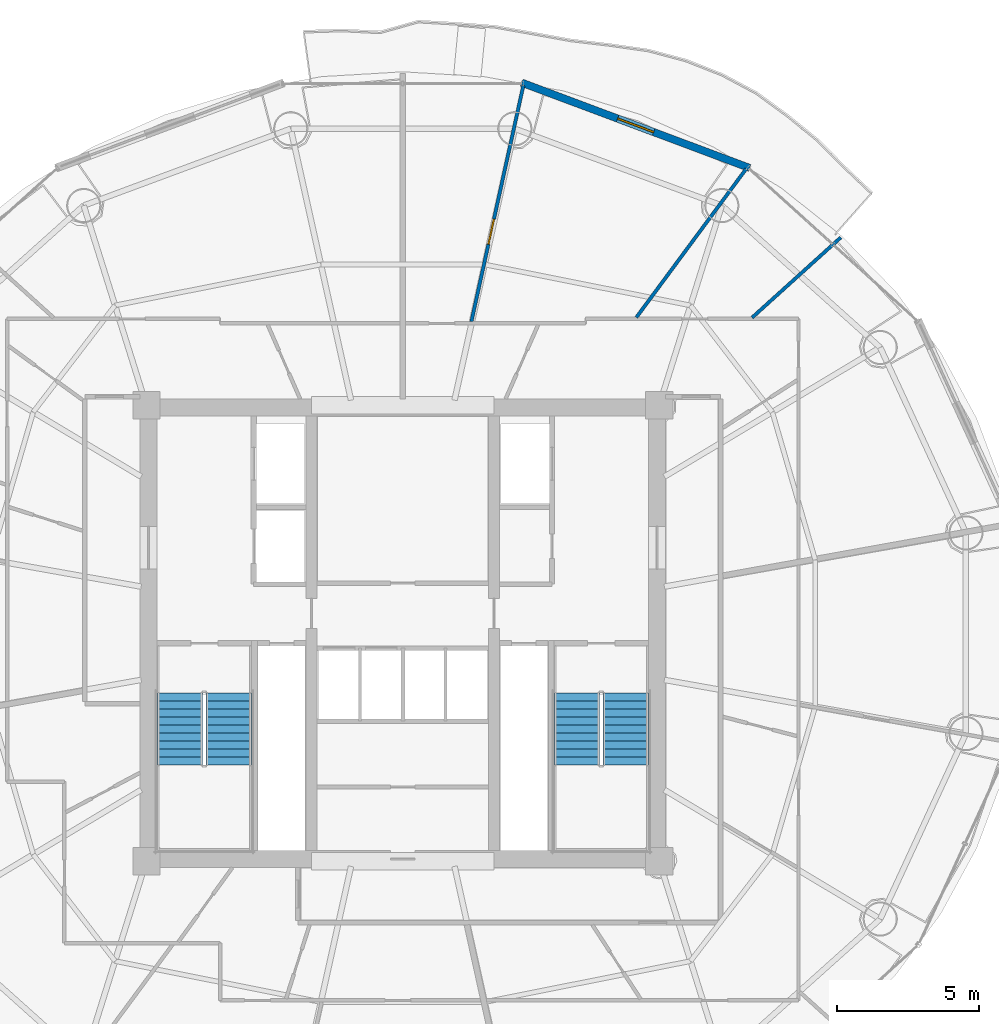
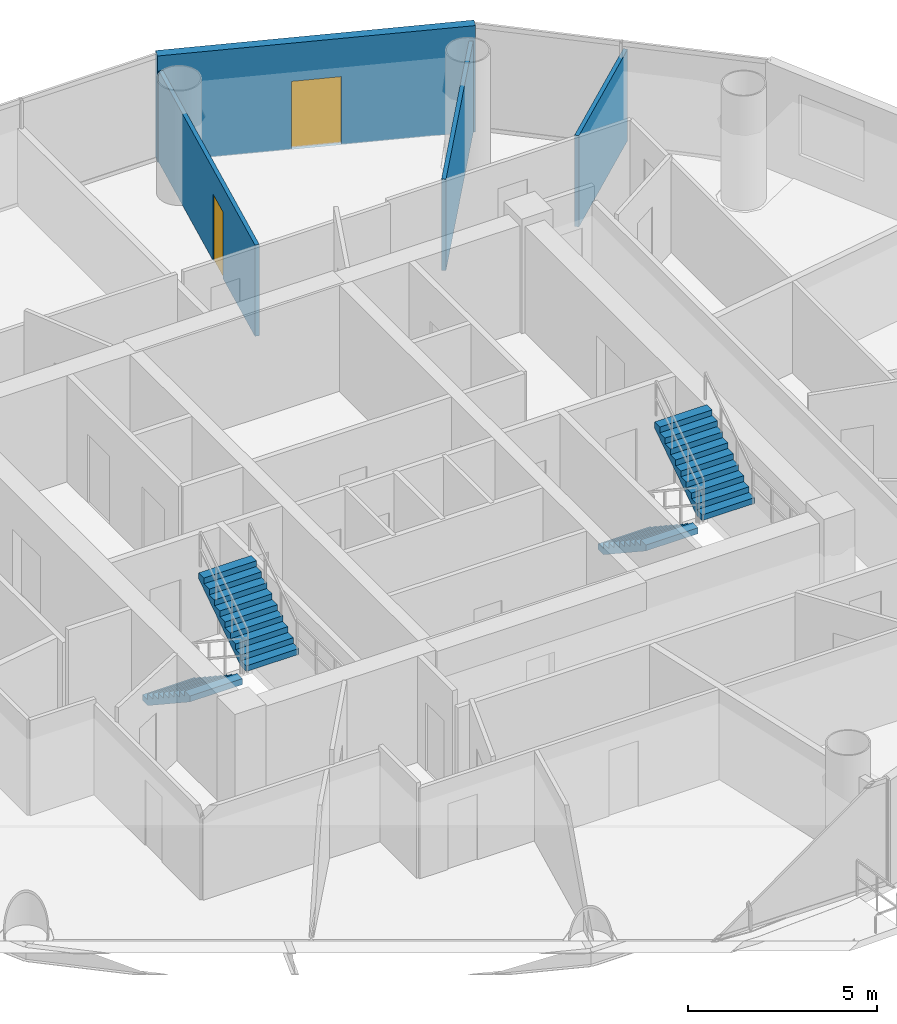
# One storey, part 23 of 27: 4 stair flights, 4 walls, 2 doors, 2 openings, 2 elements without a shape of their own.
"""IFC4 building model written with IfcOpenShell, lengths in metres."""

import ifcopenshell
import ifcopenshell.guid

model = None  # the IFC model being written
_history = None  # IfcOwnerHistory: only IFC2X3 demands one
_inside = {}  # id of a spatial element -> (the spatial element, [elements in it])
_under = {}  # id of a project, library or spatial element -> (it, [spatial elements below it])
_declared = {}  # id of a project -> (the project, [libraries it declares])
_typed = {}  # id of a type object -> (the type object, [elements of that type])
_made_of = {}  # id of a material, layer set ... -> (it, [elements and type objects made of it])


def new_model(schema):
    """Start an empty IFC model of exactly this schema.

    Asked for "IFC4X3", IfcOpenShell would pick the latest addendum, in which some entities
    have other attributes; the version numbers below select the first issue.
    IFC2X3 requires an IfcOwnerHistory on every rooted entity: one is made here for all.
    """
    global model, _history
    if schema == "IFC4X3":
        model = ifcopenshell.file(schema_version=(4, 3, 0, 0))
    else:
        model = ifcopenshell.file(schema=schema)
    _inside.clear()
    _under.clear()
    _declared.clear()
    _typed.clear()
    _made_of.clear()
    _history = None
    if model.schema == "IFC2X3":
        org = make("IfcOrganization", Name="unknown")
        user = make(
            "IfcPersonAndOrganization",
            ThePerson=make("IfcPerson", FamilyName="unknown"),
            TheOrganization=org,
        )
        app = make(
            "IfcApplication",
            ApplicationDeveloper=org,
            Version="unknown",
            ApplicationFullName="unknown",
            ApplicationIdentifier="unknown",
        )
        _history = make(
            "IfcOwnerHistory",
            OwningUser=user,
            OwningApplication=app,
            ChangeAction="ADDED",
            CreationDate=0,
        )
    return model


def make(cls, **values):
    """One entity of the class cls with the attributes given. An attribute that is None is left unset."""
    return model.create_entity(
        cls, **{name: value for name, value in values.items() if value is not None}
    )


def rooted(cls, **values):
    """An entity with a GlobalId (a new one), such as an element, a storey or a relation."""
    return make(cls, GlobalId=ifcopenshell.guid.new(), OwnerHistory=_history, **values)


def si_unit(unit_type, name, prefix=None):
    """IfcSIUnit, for example si_unit("LENGTHUNIT", "METRE", prefix="MILLI")."""
    return make("IfcSIUnit", UnitType=unit_type, Prefix=prefix, Name=name)


def assignment(units):
    """IfcUnitAssignment: the units of a project."""
    return None if units is None else make("IfcUnitAssignment", Units=units)


def point(xyz):
    """IfcCartesianPoint."""
    return None if xyz is None else make("IfcCartesianPoint", Coordinates=xyz)


def direction(xyz):
    """IfcDirection."""
    return None if xyz is None else make("IfcDirection", DirectionRatios=xyz)


def frame(location, z_axis=None, x_axis=None):
    """IfcAxis2Placement3D, a coordinate frame: its origin and axes. An axis left out is left unset."""
    return make(
        "IfcAxis2Placement3D",
        Location=point(location),
        Axis=direction(z_axis),
        RefDirection=direction(x_axis),
    )


def frame_2d(location, x_axis=None):
    """IfcAxis2Placement2D, a coordinate frame in the plane: its origin and x axis."""
    return make(
        "IfcAxis2Placement2D", Location=point(location), RefDirection=direction(x_axis)
    )


def origin():
    """The frame at (0, 0, 0) with its axes left unset."""
    return frame((0.0, 0.0, 0.0))


def place(relative_to, where):
    """IfcLocalPlacement: puts the frame where relative to a parent placement (None: the world)."""
    return make(
        "IfcLocalPlacement", PlacementRelTo=relative_to, RelativePlacement=where
    )


def context(
    kind, dimensions, precision=None, world=None, true_north=None, identifier=None
):
    """IfcGeometricRepresentationContext, for example the 3D "Model" context."""
    return make(
        "IfcGeometricRepresentationContext",
        ContextIdentifier=identifier,
        ContextType=kind,
        CoordinateSpaceDimension=dimensions,
        Precision=precision,
        WorldCoordinateSystem=world,
        TrueNorth=true_north,
    )


def subcontext(parent, identifier, kind, view, scale=None):
    """IfcGeometricRepresentationSubContext, for example "Body" below "Model"."""
    return make(
        "IfcGeometricRepresentationSubContext",
        ContextIdentifier=identifier,
        ContextType=kind,
        ParentContext=parent,
        TargetScale=scale,
        TargetView=view,
    )


def project(units=None, contexts=None):
    """IfcProject with its units and contexts."""
    return rooted(
        "IfcProject",
        Name="project",
        RepresentationContexts=contexts,
        UnitsInContext=assignment(units),
    )


def spatial(cls, under=None, at=None, **own):
    """A site, building, storey or space (cls), placed at a placement, below another one or the project."""
    s = rooted(cls, ObjectPlacement=at, **own)
    if under is not None:
        _under.setdefault(under.id(), (under, []))[1].append(s)
    return s


def polyline(points):
    """IfcPolyline through the points."""
    return make("IfcPolyline", Points=[point(p) for p in points])


def profile(cls, at=None, kind="AREA", **sizes):
    """A parametric profile (cls). Its sizes go by their IFC names, for example OverallWidth=200.0."""
    return make(cls, ProfileType=kind, Position=at, **sizes)


def rectangle(**sizes):
    """IfcRectangleProfileDef."""
    return profile("IfcRectangleProfileDef", **sizes)


def outline(outer, holes=None, kind="AREA"):
    """IfcArbitraryClosedProfileDef: a profile drawn as a closed curve; with holes, ...WithVoids."""
    if holes is None:
        return make("IfcArbitraryClosedProfileDef", ProfileType=kind, OuterCurve=outer)
    return make(
        "IfcArbitraryProfileDefWithVoids",
        ProfileType=kind,
        OuterCurve=outer,
        InnerCurves=holes,
    )


def extrude(swept, where, along, depth):
    """IfcExtrudedAreaSolid: the profile swept, set in the frame where, extruded along a direction by depth."""
    return make(
        "IfcExtrudedAreaSolid",
        SweptArea=swept,
        Position=where,
        ExtrudedDirection=direction(along),
        Depth=depth,
    )


def shape(context_of_items, identifier, shape_type, items):
    """IfcShapeRepresentation: the items that make up one representation, for example the "Body"."""
    return make(
        "IfcShapeRepresentation",
        ContextOfItems=context_of_items,
        RepresentationIdentifier=identifier,
        RepresentationType=shape_type,
        Items=items,
    )


def source(mapping_origin, context_of_items, identifier, shape_type, items):
    """IfcRepresentationMap: a shape defined once, which mapped items show again and again."""
    return make(
        "IfcRepresentationMap",
        MappingOrigin=mapping_origin,
        MappedRepresentation=shape(context_of_items, identifier, shape_type, items),
    )


def transform(
    local_origin,
    x_axis=None,
    y_axis=None,
    z_axis=None,
    scale=None,
    scale2=None,
    scale3=None,
    uniform=True,
):
    """IfcCartesianTransformationOperator3D, or its non-uniform kind. x_axis, y_axis, z_axis: its Axis1, 2, 3."""
    if uniform:
        return make(
            "IfcCartesianTransformationOperator3D",
            Axis1=direction(x_axis),
            Axis2=direction(y_axis),
            LocalOrigin=point(local_origin),
            Scale=scale,
            Axis3=direction(z_axis),
        )
    return make(
        "IfcCartesianTransformationOperator3DnonUniform",
        Axis1=direction(x_axis),
        Axis2=direction(y_axis),
        LocalOrigin=point(local_origin),
        Scale=scale,
        Axis3=direction(z_axis),
        Scale2=scale2,
        Scale3=scale3,
    )


def mapped(mapping_source, mapping_target):
    """IfcMappedItem: shows the shape of a source again, moved by a transform."""
    return make(
        "IfcMappedItem", MappingSource=mapping_source, MappingTarget=mapping_target
    )


def material(Name=None, Category=None):
    """IfcMaterial."""
    return make("IfcMaterial", Name=Name, Category=Category)


def layer(
    of_material, thickness, ventilated=None, Name=None, Category=None, Priority=None
):
    """IfcMaterialLayer: one layer of a wall or slab, of a material (None: an air gap)."""
    return make(
        "IfcMaterialLayer",
        Material=of_material,
        LayerThickness=thickness,
        IsVentilated=ventilated,
        Name=Name,
        Category=Category,
        Priority=Priority,
    )


def layer_set(layers, Name=None):
    """IfcMaterialLayerSet."""
    return make("IfcMaterialLayerSet", MaterialLayers=layers, LayerSetName=Name)


def made_of(thing, what):
    """Note that an element or type object is made of a material, layer set ...; save() writes the relation."""
    if what is not None:
        _made_of.setdefault(what.id(), (what, []))[1].append(thing)
    return thing


def type_object(cls, material=None, **own):
    """A type object (cls), such as IfcWallType, which elements share."""
    return made_of(rooted(cls, **own), material)


def element(
    cls,
    number,
    at=None,
    inside=None,
    cuts=None,
    type_object=None,
    material=None,
    context=None,
    identifier="Body",
    shape_type=None,
    held_by="IfcProductDefinitionShape",
    body=None,
    shapes=None,
    **own,
):
    """One element of the class cls, such as IfcWall. Its Tag is "e" and its number.

    at: its placement. inside: the storey or other place that contains it. cuts: it is an
    opening in that element (IfcRelVoidsElement). A single representation is given by context,
    identifier, shape_type and body (its items); several are given by shapes. held_by: the class
    of the entity that holds the representations. save() writes the other relations.
    """
    e = rooted(cls, Tag="e%d" % number, ObjectPlacement=at, **own)
    if body is not None:
        shapes = [shape(context, identifier, shape_type, body)]
    if shapes is not None:
        e.Representation = make(held_by, Representations=shapes)
    if inside is not None:
        _inside.setdefault(inside.id(), (inside, []))[1].append(e)
    if cuts is not None:
        rooted(
            "IfcRelVoidsElement", RelatingBuildingElement=cuts, RelatedOpeningElement=e
        )
    if type_object is not None:
        _typed.setdefault(type_object.id(), (type_object, []))[1].append(e)
    return made_of(e, material)


def fill(opening, filler):
    """IfcRelFillsElement: the door or window that sits in an opening."""
    return rooted(
        "IfcRelFillsElement",
        RelatingOpeningElement=opening,
        RelatedBuildingElement=filler,
    )


def aggregate(whole, parts):
    """IfcRelAggregates: a whole, such as a stair, and the parts it consists of."""
    return rooted("IfcRelAggregates", RelatingObject=whole, RelatedObjects=parts)


def save(model, path):
    """Write the relations noted so far, then the file.

    IfcRelAggregates (storeys below a building ...), IfcRelContainedInSpatialStructure (elements
    in a storey), IfcRelDefinesByType, IfcRelAssociatesMaterial and IfcRelDeclares: one each for
    every whole, place, type object, material and project.
    """
    for whole, parts in _under.values():
        aggregate(whole, parts)
    for where, things in _inside.values():
        rooted(
            "IfcRelContainedInSpatialStructure",
            RelatedElements=things,
            RelatingStructure=where,
        )
    for kind, things in _typed.values():
        rooted("IfcRelDefinesByType", RelatedObjects=things, RelatingType=kind)
    for what, things in _made_of.values():
        rooted("IfcRelAssociatesMaterial", RelatedObjects=things, RelatingMaterial=what)
    for by, libraries in _declared.values():
        rooted("IfcRelDeclares", RelatingContext=by, RelatedDefinitions=libraries)
    model.write(path)


model = new_model("IFC4")

# Units and contexts
model_context = context("Model", 3, precision=1e-05, world=origin(), true_north=direction((-0.2419218956, 0.970295726276)))
body_context = subcontext(model_context, "Body", "Model", "MODEL_VIEW")
ifc_project = project(units=[si_unit("LENGTHUNIT", "METRE"), si_unit("AREAUNIT", "SQUARE_METRE"), si_unit("VOLUMEUNIT", "CUBIC_METRE"), si_unit("PLANEANGLEUNIT", "RADIAN"), si_unit("MASSUNIT", "GRAM", prefix="KILO")], contexts=[model_context])

# Site, building, storey
site_placement = place(None, origin())
site = spatial("IfcSite", under=ifc_project, at=site_placement, CompositionType="ELEMENT")
building_placement = place(site_placement, origin())
building = spatial("IfcBuilding", under=site, at=building_placement, Name="Cobrevalo Terracotta Tower", CompositionType="ELEMENT")
storey_placement = place(building_placement, frame((0.0, 0.0, 191.199951171875)))
storey = spatial("IfcBuildingStorey", under=building, at=storey_placement, Name="L50", CompositionType="ELEMENT", Elevation=191.199951171875)

# Wall, opening, door
ifc_material_1 = material(Name="Autoclaved aerated concrete block", Category="concrete")
ifc_layer_1 = layer(ifc_material_1, 0.260009765625)
ifc_layer_set_1 = layer_set([ifc_layer_1], Name="Autoclaved aerated concrete block")
wall_type_1 = type_object("IfcWallType", Name="Recessed balcony loggia insulated exterior wall 260 mm", PredefinedType="SOLIDWALL", material=ifc_layer_set_1)
wall_1_placement = place(storey_placement, frame((50.169677734375, 43.126953125, 0.0), z_axis=(0.0, 0.0, 1.0), x_axis=(-0.936556918375, 0.350515532672, 0.0)))
wall_1 = element("IfcWall", 1, at=wall_1_placement, inside=storey, type_object=wall_type_1, Name="L50 balcony loggia wall S03", PredefinedType="SOLIDWALL", context=body_context, shape_type="SweptSolid", body=[
    extrude(rectangle(XDim=8.539306640625, YDim=0.260009765625, at=frame_2d((4.26953125, 0.0))), origin(), (0.0, 0.0, 1.0), 3.43505859375),
])
opening_1_placement = place(wall_1_placement, frame((3.594482421875, 0.0, 0.0)))
opening_1 = element("IfcOpeningElement", 2, at=opening_1_placement, cuts=wall_1, Name="Opening ED-05", PredefinedType="OPENING", context=body_context, shape_type="SweptSolid", body=[
    extrude(rectangle(XDim=1.35009765625, YDim=2.199951171875, at=frame_2d((0.675048828125, 1.10009765625))), frame((0.0, 0.14013671875, 0.0), z_axis=(0.0, -1.0, 0.0), x_axis=(1.0, 0.0, 0.0)), (0.0, 0.0, 1.0), 0.280029296875),
])
ifc_material_2 = material(Name="Anodized aluminium and laminated glass", Category="aluminium")
door_type_1 = type_object("IfcDoorType", Name="Suite balcony acoustic glazed terrace door 1350x2200", OperationType="NOTDEFINED", PredefinedType="DOOR", material=ifc_material_2)
shared_shape_1 = source(origin(), body_context, "Body", "SweptSolid", [
    extrude(rectangle(XDim=1.35009765625, YDim=2.199951171875, at=frame_2d((0.675048828125, 1.10009765625))), frame((0.0, 0.02490234375, 0.0), z_axis=(0.0, -1.0, 0.0), x_axis=(1.0, 0.0, 0.0)), (0.0, 0.0, 1.0), 0.050048828125),
])
door_1_placement = place(opening_1_placement, frame((1.35009765625, 0.0, 0.0), z_axis=(0.0, 0.0, 1.0), x_axis=(-1.0, 0.0, 0.0)))
door_1 = element("IfcDoor", 3, at=door_1_placement, inside=storey, type_object=door_type_1, Name="L50 glazed balcony terrace door 1", OperationType="SINGLE_SWING_LEFT", OverallHeight=2.199951171875, OverallWidth=1.35009765625, PredefinedType="DOOR", context=body_context, shape_type="MappedRepresentation", body=[
    mapped(shared_shape_1, transform((0.0, 0.0, 0.0), scale=1.0)),
])
fill(opening_1, door_1)

# Walls
ifc_material_3 = material(Name="Gypsum board on steel stud", Category="steel")
ifc_layer_2 = layer(ifc_material_3, 0.1201171875)
ifc_layer_set_2 = layer_set([ifc_layer_2], Name="Gypsum board on steel stud")
wall_type_2 = type_object("IfcWallType", Name="Residential internal acoustic stud partition 120 mm", PredefinedType="PARTITIONING", material=ifc_layer_set_2)
wall_2_placement = place(storey_placement, frame((50.25732421875, 37.87646484375, 0.0), z_axis=(0.0, 0.0, 1.0), x_axis=(0.741943837234, 0.670462036502, 0.0)))
element("IfcWall", 4, at=wall_2_placement, inside=storey, type_object=wall_type_2, Name="L50 interior partition IW-L50-U1-ORAD1", PredefinedType="PARTITIONING", context=body_context, shape_type="SweptSolid", body=[
    extrude(rectangle(XDim=4.194091796875, YDim=0.1201171875, at=frame_2d((2.09716796875, 0.0))), origin(), (0.0, 0.0, 1.0), 2.950927734375),
])
wall_3_placement = place(storey_placement, frame((46.1962890625, 37.884765625, 0.0), z_axis=(0.0, 0.0, 1.0), x_axis=(0.594507557292, 0.804090022524, 0.0)))
element("IfcWall", 5, at=wall_3_placement, inside=storey, type_object=wall_type_2, Name="L50 interior partition IW-L50-U1-ORAD2", PredefinedType="PARTITIONING", context=body_context, shape_type="SweptSolid", body=[
    extrude(rectangle(XDim=6.4814453125, YDim=0.1201171875, at=frame_2d((3.24072265625, 0.0))), origin(), (0.0, 0.0, 1.0), 2.950927734375),
])

# Wall, opening, door
wall_4_placement = place(storey_placement, frame((40.406982421875, 37.735595703125, 0.0), z_axis=(0.0, 0.0, 1.0), x_axis=(0.214971015179, 0.97662042915, 0.0)))
wall_4 = element("IfcWall", 6, at=wall_4_placement, inside=storey, type_object=wall_type_2, Name="L50 interior partition IW-L50-U1-ORAD3M1", PredefinedType="PARTITIONING", context=body_context, shape_type="SweptSolid", body=[
    extrude(rectangle(XDim=8.48486328125, YDim=0.1201171875, at=frame_2d((4.242431640625, 0.0))), origin(), (0.0, 0.0, 1.0), 2.950927734375),
])
opening_2_placement = place(wall_4_placement, frame((2.7802734375, 0.0, 0.0)))
opening_2 = element("IfcOpeningElement", 7, at=opening_2_placement, cuts=wall_4, Name="Opening ID-12", PredefinedType="OPENING", context=body_context, shape_type="SweptSolid", body=[
    extrude(rectangle(XDim=0.89990234375, YDim=2.14990234375, at=frame_2d((0.449951171875, 1.074951171875))), frame((0.0, 0.070068359375, 0.0), z_axis=(0.0, -1.0, 0.0), x_axis=(1.0, 0.0, 0.0)), (0.0, 0.0, 1.0), 0.14013671875),
])
ifc_material_4 = material(Name="Engineered timber", Category="wood")
door_type_2 = type_object("IfcDoorType", Name="Internal residence & suite timber door 900x2150", OperationType="NOTDEFINED", PredefinedType="DOOR", material=ifc_material_4)
shared_shape_2 = source(origin(), body_context, "Body", "SweptSolid", [
    extrude(rectangle(XDim=0.89990234375, YDim=2.14990234375, at=frame_2d((0.449951171875, 1.074951171875))), frame((0.0, 0.02490234375, 0.0), z_axis=(0.0, -1.0, 0.0), x_axis=(1.0, 0.0, 0.0)), (0.0, 0.0, 1.0), 0.050048828125),
])
door_2_placement = place(opening_2_placement, frame((0.89990234375, 0.0, 0.0), z_axis=(0.0, 0.0, 1.0), x_axis=(-1.0, 0.0, 0.0)))
door_2 = element("IfcDoor", 8, at=door_2_placement, inside=storey, type_object=door_type_2, Name="Flat L50A Principal Guest Bedroom internal door", OperationType="SINGLE_SWING_LEFT", OverallHeight=2.14990234375, OverallWidth=0.89990234375, PredefinedType="DOOR", context=body_context, shape_type="MappedRepresentation", body=[
    mapped(shared_shape_2, transform((0.0, 0.0, 0.0), scale=1.0)),
])
fill(opening_2, door_2)

# Stair, stair flights
ifc_material_5 = material(Name="Concrete C50", Category="concrete")
stair_type = type_object("IfcStairType", Name="Core protected escape dogleg stair 1600", PredefinedType="HALF_TURN_STAIR", material=ifc_material_5)
stair_1_placement = place(storey_placement, origin())
stair_1 = element("IfcStair", 9, at=stair_1_placement, inside=storey, type_object=stair_type, Name="L50 Protected exit stair ST-1", PredefinedType="HALF_TURN_STAIR")
stair_flight_type = type_object("IfcStairFlightType", Name="Core protected escape dogleg stair 1600 flight", PredefinedType="STRAIGHT", material=ifc_material_5)
stair_flight_1_placement = place(storey_placement, frame((30.175048828125, 24.699951171875, 0.0), z_axis=(0.0, 0.0, 1.0), x_axis=(0.0, -1.0, 0.0)))
stair_flight_1 = element("IfcStairFlight", 10, at=stair_flight_1_placement, type_object=stair_flight_type, Name="ST-1 flight 1", NumberOfRisers=10, NumberOfTreads=9, PredefinedType="STRAIGHT", RiserHeight=0.185, TreadLength=0.28, context=body_context, shape_type="SweptSolid", body=[
    extrude(outline(polyline([(0.0, 0.0), (0.0, 0.18505859375), (0.280029296875, 0.18505859375), (0.280029296875, 0.3701171875), (0.56005859375, 0.3701171875), (0.56005859375, 0.554931640625), (0.840087890625, 0.554931640625), (0.840087890625, 0.739990234375), (1.1201171875, 0.739990234375), (1.1201171875, 0.925048828125), (1.39990234375, 0.925048828125), (1.39990234375, 1.110107421875), (1.679931640625, 1.110107421875), (1.679931640625, 1.294921875), (1.9599609375, 1.294921875), (1.9599609375, 1.47998046875), (2.239990234375, 1.47998046875), (2.239990234375, 1.6650390625), (2.52001953125, 1.6650390625), (2.52001953125, 1.85009765625), (2.52001953125, 1.473388671875), (0.2900390625, 0.0), (0.0, 0.0)])), frame((0.0, 0.800048828125, 0.0), z_axis=(0.0, -1.0, 0.0), x_axis=(1.0, 0.0, 0.0)), (0.0, 0.0, 1.0), 1.60009765625),
])
stair_flight_2_placement = place(storey_placement, frame((31.89501953125, 22.179931640625, 1.85009765625), z_axis=(0.0, 0.0, 1.0), x_axis=(0.0, 1.0, 0.0)))
stair_flight_2 = element("IfcStairFlight", 11, at=stair_flight_2_placement, type_object=stair_flight_type, Name="ST-1 flight 2", NumberOfRisers=10, NumberOfTreads=9, PredefinedType="STRAIGHT", RiserHeight=0.185, TreadLength=0.28, context=body_context, shape_type="SweptSolid", body=[
    extrude(outline(polyline([(0.0, 0.0), (0.0, 0.18505859375), (0.280029296875, 0.18505859375), (0.280029296875, 0.3701171875), (0.56005859375, 0.3701171875), (0.56005859375, 0.554931640625), (0.840087890625, 0.554931640625), (0.840087890625, 0.739990234375), (1.1201171875, 0.739990234375), (1.1201171875, 0.925048828125), (1.39990234375, 0.925048828125), (1.39990234375, 1.110107421875), (1.679931640625, 1.110107421875), (1.679931640625, 1.294921875), (1.9599609375, 1.294921875), (1.9599609375, 1.47998046875), (2.239990234375, 1.47998046875), (2.239990234375, 1.6650390625), (2.52001953125, 1.6650390625), (2.52001953125, 1.85009765625), (2.52001953125, 1.473388671875), (0.2900390625, 0.0), (0.0, 0.0)])), frame((0.0, 0.800048828125, 0.0), z_axis=(0.0, -1.0, 0.0), x_axis=(1.0, 0.0, 0.0)), (0.0, 0.0, 1.0), 1.60009765625),
])
aggregate(stair_1, [stair_flight_1, stair_flight_2])

stair_2_placement = place(storey_placement, origin())
stair_2 = element("IfcStair", 12, at=stair_2_placement, inside=storey, type_object=stair_type, Name="L50 Protected exit stair ST-2", PredefinedType="HALF_TURN_STAIR")
stair_flight_3_placement = place(storey_placement, frame((44.10498046875, 24.699951171875, 0.0), z_axis=(0.0, 0.0, 1.0), x_axis=(0.0, -1.0, 0.0)))
stair_flight_3 = element("IfcStairFlight", 13, at=stair_flight_3_placement, type_object=stair_flight_type, Name="ST-2 flight 1", NumberOfRisers=10, NumberOfTreads=9, PredefinedType="STRAIGHT", RiserHeight=0.185, TreadLength=0.28, context=body_context, shape_type="SweptSolid", body=[
    extrude(outline(polyline([(0.0, 0.0), (0.0, 0.18505859375), (0.280029296875, 0.18505859375), (0.280029296875, 0.3701171875), (0.56005859375, 0.3701171875), (0.56005859375, 0.554931640625), (0.840087890625, 0.554931640625), (0.840087890625, 0.739990234375), (1.1201171875, 0.739990234375), (1.1201171875, 0.925048828125), (1.39990234375, 0.925048828125), (1.39990234375, 1.110107421875), (1.679931640625, 1.110107421875), (1.679931640625, 1.294921875), (1.9599609375, 1.294921875), (1.9599609375, 1.47998046875), (2.239990234375, 1.47998046875), (2.239990234375, 1.6650390625), (2.52001953125, 1.6650390625), (2.52001953125, 1.85009765625), (2.52001953125, 1.473388671875), (0.2900390625, 0.0), (0.0, 0.0)])), frame((0.0, 0.800048828125, 0.0), z_axis=(0.0, -1.0, 0.0), x_axis=(1.0, 0.0, 0.0)), (0.0, 0.0, 1.0), 1.60009765625),
])
stair_flight_4_placement = place(storey_placement, frame((45.824951171875, 22.179931640625, 1.85009765625), z_axis=(0.0, 0.0, 1.0), x_axis=(0.0, 1.0, 0.0)))
stair_flight_4 = element("IfcStairFlight", 14, at=stair_flight_4_placement, type_object=stair_flight_type, Name="ST-2 flight 2", NumberOfRisers=10, NumberOfTreads=9, PredefinedType="STRAIGHT", RiserHeight=0.185, TreadLength=0.28, context=body_context, shape_type="SweptSolid", body=[
    extrude(outline(polyline([(0.0, 0.0), (0.0, 0.18505859375), (0.280029296875, 0.18505859375), (0.280029296875, 0.3701171875), (0.56005859375, 0.3701171875), (0.56005859375, 0.554931640625), (0.840087890625, 0.554931640625), (0.840087890625, 0.739990234375), (1.1201171875, 0.739990234375), (1.1201171875, 0.925048828125), (1.39990234375, 0.925048828125), (1.39990234375, 1.110107421875), (1.679931640625, 1.110107421875), (1.679931640625, 1.294921875), (1.9599609375, 1.294921875), (1.9599609375, 1.47998046875), (2.239990234375, 1.47998046875), (2.239990234375, 1.6650390625), (2.52001953125, 1.6650390625), (2.52001953125, 1.85009765625), (2.52001953125, 1.473388671875), (0.2900390625, 0.0), (0.0, 0.0)])), frame((0.0, 0.800048828125, 0.0), z_axis=(0.0, -1.0, 0.0), x_axis=(1.0, 0.0, 0.0)), (0.0, 0.0, 1.0), 1.60009765625),
])
aggregate(stair_2, [stair_flight_3, stair_flight_4])

save(model, "model.ifc")
